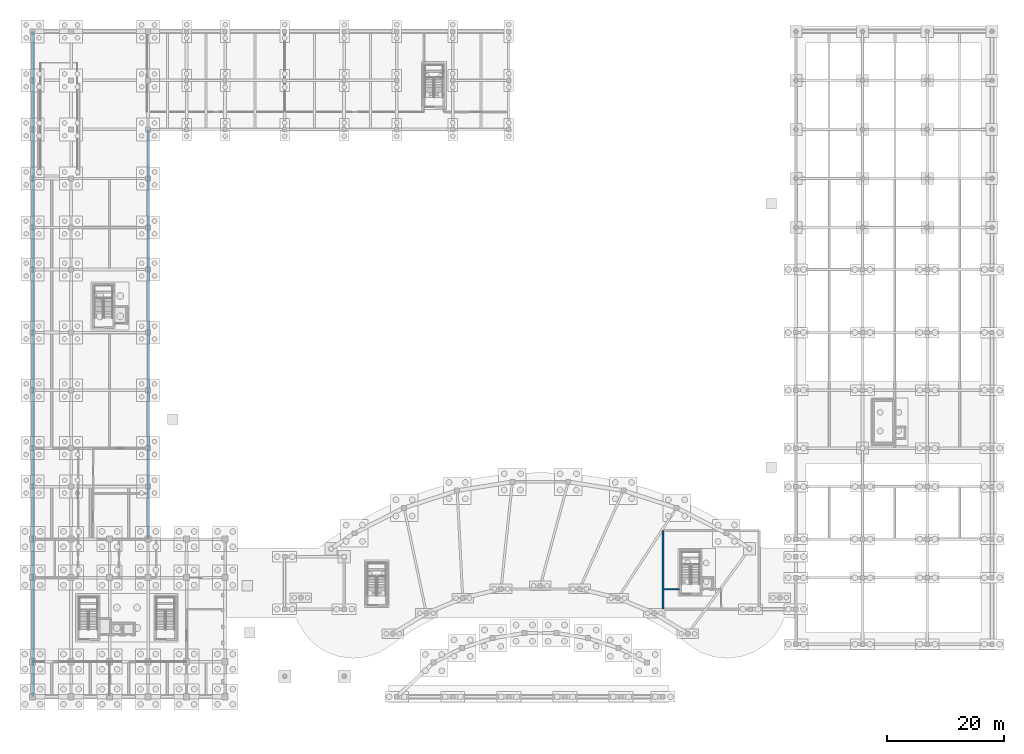
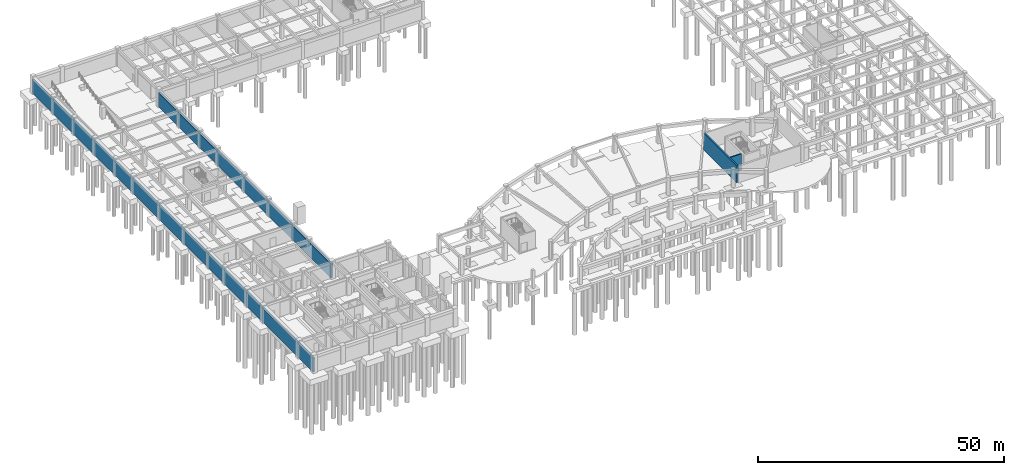
# One storey, part 17 of 28: 4 walls.
"""IFC4 building model written with IfcOpenShell, lengths in metres."""

import ifcopenshell
import ifcopenshell.guid

model = None  # the IFC model being written
_history = None  # IfcOwnerHistory: only IFC2X3 demands one
_inside = {}  # id of a spatial element -> (the spatial element, [elements in it])
_under = {}  # id of a project, library or spatial element -> (it, [spatial elements below it])
_declared = {}  # id of a project -> (the project, [libraries it declares])
_typed = {}  # id of a type object -> (the type object, [elements of that type])
_made_of = {}  # id of a material, layer set ... -> (it, [elements and type objects made of it])


def new_model(schema):
    """Start an empty IFC model of exactly this schema.

    Asked for "IFC4X3", IfcOpenShell would pick the latest addendum, in which some entities
    have other attributes; the version numbers below select the first issue.
    IFC2X3 requires an IfcOwnerHistory on every rooted entity: one is made here for all.
    """
    global model, _history
    if schema == "IFC4X3":
        model = ifcopenshell.file(schema_version=(4, 3, 0, 0))
    else:
        model = ifcopenshell.file(schema=schema)
    _inside.clear()
    _under.clear()
    _declared.clear()
    _typed.clear()
    _made_of.clear()
    _history = None
    if model.schema == "IFC2X3":
        org = make("IfcOrganization", Name="unknown")
        user = make(
            "IfcPersonAndOrganization",
            ThePerson=make("IfcPerson", FamilyName="unknown"),
            TheOrganization=org,
        )
        app = make(
            "IfcApplication",
            ApplicationDeveloper=org,
            Version="unknown",
            ApplicationFullName="unknown",
            ApplicationIdentifier="unknown",
        )
        _history = make(
            "IfcOwnerHistory",
            OwningUser=user,
            OwningApplication=app,
            ChangeAction="ADDED",
            CreationDate=0,
        )
    return model


def make(cls, **values):
    """One entity of the class cls with the attributes given. An attribute that is None is left unset."""
    return model.create_entity(
        cls, **{name: value for name, value in values.items() if value is not None}
    )


def rooted(cls, **values):
    """An entity with a GlobalId (a new one), such as an element, a storey or a relation."""
    return make(cls, GlobalId=ifcopenshell.guid.new(), OwnerHistory=_history, **values)


def si_unit(unit_type, name, prefix=None):
    """IfcSIUnit, for example si_unit("LENGTHUNIT", "METRE", prefix="MILLI")."""
    return make("IfcSIUnit", UnitType=unit_type, Prefix=prefix, Name=name)


def assignment(units):
    """IfcUnitAssignment: the units of a project."""
    return None if units is None else make("IfcUnitAssignment", Units=units)


def point(xyz):
    """IfcCartesianPoint."""
    return None if xyz is None else make("IfcCartesianPoint", Coordinates=xyz)


def direction(xyz):
    """IfcDirection."""
    return None if xyz is None else make("IfcDirection", DirectionRatios=xyz)


def frame(location, z_axis=None, x_axis=None):
    """IfcAxis2Placement3D, a coordinate frame: its origin and axes. An axis left out is left unset."""
    return make(
        "IfcAxis2Placement3D",
        Location=point(location),
        Axis=direction(z_axis),
        RefDirection=direction(x_axis),
    )


def frame_2d(location, x_axis=None):
    """IfcAxis2Placement2D, a coordinate frame in the plane: its origin and x axis."""
    return make(
        "IfcAxis2Placement2D", Location=point(location), RefDirection=direction(x_axis)
    )


def origin():
    """The frame at (0, 0, 0) with its axes left unset."""
    return frame((0.0, 0.0, 0.0))


def place(relative_to, where):
    """IfcLocalPlacement: puts the frame where relative to a parent placement (None: the world)."""
    return make(
        "IfcLocalPlacement", PlacementRelTo=relative_to, RelativePlacement=where
    )


def context(
    kind, dimensions, precision=None, world=None, true_north=None, identifier=None
):
    """IfcGeometricRepresentationContext, for example the 3D "Model" context."""
    return make(
        "IfcGeometricRepresentationContext",
        ContextIdentifier=identifier,
        ContextType=kind,
        CoordinateSpaceDimension=dimensions,
        Precision=precision,
        WorldCoordinateSystem=world,
        TrueNorth=true_north,
    )


def subcontext(parent, identifier, kind, view, scale=None):
    """IfcGeometricRepresentationSubContext, for example "Body" below "Model"."""
    return make(
        "IfcGeometricRepresentationSubContext",
        ContextIdentifier=identifier,
        ContextType=kind,
        ParentContext=parent,
        TargetScale=scale,
        TargetView=view,
    )


def project(units=None, contexts=None):
    """IfcProject with its units and contexts."""
    return rooted(
        "IfcProject",
        Name="project",
        RepresentationContexts=contexts,
        UnitsInContext=assignment(units),
    )


def spatial(cls, under=None, at=None, **own):
    """A site, building, storey or space (cls), placed at a placement, below another one or the project."""
    s = rooted(cls, ObjectPlacement=at, **own)
    if under is not None:
        _under.setdefault(under.id(), (under, []))[1].append(s)
    return s


def profile(cls, at=None, kind="AREA", **sizes):
    """A parametric profile (cls). Its sizes go by their IFC names, for example OverallWidth=200.0."""
    return make(cls, ProfileType=kind, Position=at, **sizes)


def rectangle(**sizes):
    """IfcRectangleProfileDef."""
    return profile("IfcRectangleProfileDef", **sizes)


def extrude(swept, where, along, depth):
    """IfcExtrudedAreaSolid: the profile swept, set in the frame where, extruded along a direction by depth."""
    return make(
        "IfcExtrudedAreaSolid",
        SweptArea=swept,
        Position=where,
        ExtrudedDirection=direction(along),
        Depth=depth,
    )


def shape(context_of_items, identifier, shape_type, items):
    """IfcShapeRepresentation: the items that make up one representation, for example the "Body"."""
    return make(
        "IfcShapeRepresentation",
        ContextOfItems=context_of_items,
        RepresentationIdentifier=identifier,
        RepresentationType=shape_type,
        Items=items,
    )


def material(Name=None, Category=None):
    """IfcMaterial."""
    return make("IfcMaterial", Name=Name, Category=Category)


def layer(
    of_material, thickness, ventilated=None, Name=None, Category=None, Priority=None
):
    """IfcMaterialLayer: one layer of a wall or slab, of a material (None: an air gap)."""
    return make(
        "IfcMaterialLayer",
        Material=of_material,
        LayerThickness=thickness,
        IsVentilated=ventilated,
        Name=Name,
        Category=Category,
        Priority=Priority,
    )


def layer_set(layers, Name=None):
    """IfcMaterialLayerSet."""
    return make("IfcMaterialLayerSet", MaterialLayers=layers, LayerSetName=Name)


def made_of(thing, what):
    """Note that an element or type object is made of a material, layer set ...; save() writes the relation."""
    if what is not None:
        _made_of.setdefault(what.id(), (what, []))[1].append(thing)
    return thing


def type_object(cls, material=None, **own):
    """A type object (cls), such as IfcWallType, which elements share."""
    return made_of(rooted(cls, **own), material)


def element(
    cls,
    number,
    at=None,
    inside=None,
    cuts=None,
    type_object=None,
    material=None,
    context=None,
    identifier="Body",
    shape_type=None,
    held_by="IfcProductDefinitionShape",
    body=None,
    shapes=None,
    **own,
):
    """One element of the class cls, such as IfcWall. Its Tag is "e" and its number.

    at: its placement. inside: the storey or other place that contains it. cuts: it is an
    opening in that element (IfcRelVoidsElement). A single representation is given by context,
    identifier, shape_type and body (its items); several are given by shapes. held_by: the class
    of the entity that holds the representations. save() writes the other relations.
    """
    e = rooted(cls, Tag="e%d" % number, ObjectPlacement=at, **own)
    if body is not None:
        shapes = [shape(context, identifier, shape_type, body)]
    if shapes is not None:
        e.Representation = make(held_by, Representations=shapes)
    if inside is not None:
        _inside.setdefault(inside.id(), (inside, []))[1].append(e)
    if cuts is not None:
        rooted(
            "IfcRelVoidsElement", RelatingBuildingElement=cuts, RelatedOpeningElement=e
        )
    if type_object is not None:
        _typed.setdefault(type_object.id(), (type_object, []))[1].append(e)
    return made_of(e, material)


def aggregate(whole, parts):
    """IfcRelAggregates: a whole, such as a stair, and the parts it consists of."""
    return rooted("IfcRelAggregates", RelatingObject=whole, RelatedObjects=parts)


def save(model, path):
    """Write the relations noted so far, then the file.

    IfcRelAggregates (storeys below a building ...), IfcRelContainedInSpatialStructure (elements
    in a storey), IfcRelDefinesByType, IfcRelAssociatesMaterial and IfcRelDeclares: one each for
    every whole, place, type object, material and project.
    """
    for whole, parts in _under.values():
        aggregate(whole, parts)
    for where, things in _inside.values():
        rooted(
            "IfcRelContainedInSpatialStructure",
            RelatedElements=things,
            RelatingStructure=where,
        )
    for kind, things in _typed.values():
        rooted("IfcRelDefinesByType", RelatedObjects=things, RelatingType=kind)
    for what, things in _made_of.values():
        rooted("IfcRelAssociatesMaterial", RelatedObjects=things, RelatingMaterial=what)
    for by, libraries in _declared.values():
        rooted("IfcRelDeclares", RelatingContext=by, RelatedDefinitions=libraries)
    model.write(path)


model = new_model("IFC4")

# Units and contexts
model_context = context("Model", 3, precision=1e-05, world=origin(), true_north=direction((0.0, 1.0)))
body_context = subcontext(model_context, "Body", "Model", "MODEL_VIEW")
ifc_project = project(units=[si_unit("LENGTHUNIT", "METRE"), si_unit("AREAUNIT", "SQUARE_METRE"), si_unit("VOLUMEUNIT", "CUBIC_METRE"), si_unit("PLANEANGLEUNIT", "RADIAN"), si_unit("MASSUNIT", "GRAM", prefix="KILO")], contexts=[model_context])

# Site, building, storey
site_placement = place(None, origin())
site = spatial("IfcSite", under=ifc_project, at=site_placement, CompositionType="ELEMENT")
building_placement = place(site_placement, origin())
building = spatial("IfcBuilding", under=site, at=building_placement, Name="Miralva Faculty of Natural Sciences", CompositionType="ELEMENT")
storey_placement = place(building_placement, frame((0.0, 0.0, -4.5)))
storey = spatial("IfcBuildingStorey", under=building, at=storey_placement, Name="B1", CompositionType="ELEMENT", Elevation=-4.5)

# Walls
ifc_material_1 = material(Name="Concrete C35/45", Category="concrete")
ifc_layer_1 = layer(ifc_material_1, 0.219970703125, Name="WL-PT01")
ifc_layer_set_1 = layer_set([ifc_layer_1], Name="Concrete C35/45")
wall_type_1 = type_object("IfcWallType", Name="WL-PT01", PredefinedType="PARTITIONING", material=ifc_layer_set_1)
wall_1_placement = place(storey_placement, frame((111.22998046875, 21.39990234375, 0.0), z_axis=(0.0, 0.0, 1.0), x_axis=(1.0, 0.0, 0.0)))
element("IfcWall", 1, at=wall_1_placement, inside=storey, type_object=wall_type_1, Name="Interior partition PT-01 B1-35", PredefinedType="PARTITIONING", context=body_context, shape_type="SweptSolid", body=[
    extrude(rectangle(XDim=2.56494140625, YDim=0.219970703125, at=frame_2d((1.282470703125, 0.0))), origin(), (0.0, 0.0, 1.0), 4.179931640625),
])
ifc_material_2 = material(Name="Concrete C40/50", Category="concrete")
ifc_layer_2 = layer(ifc_material_2, 0.419921875, Name="WL-RW01")
ifc_layer_set_2 = layer_set([ifc_layer_2], Name="Concrete C40/50")
wall_type_2 = type_object("IfcWallType", Name="WL-RW01", PredefinedType="STANDARD", material=ifc_layer_set_2)
wall_2_placement = place(storey_placement, frame((22.800048828125, 29.9951171875, 0.0), z_axis=(0.0, 0.0, 1.0), x_axis=(0.0, 1.0, 0.0)))
element("IfcWall", 2, at=wall_2_placement, inside=storey, type_object=wall_type_2, Name="Exterior wall B1-4", PredefinedType="STANDARD", context=body_context, shape_type="SweptSolid", body=[
    extrude(rectangle(XDim=70.2099609375, YDim=0.419921875, at=frame_2d((35.10498046875, 0.0))), origin(), (0.0, 0.0, 1.0), 3.449951171875),
])
wall_3_placement = place(storey_placement, frame((3.0, 2.9951171875, 0.0), z_axis=(0.0, 0.0, 1.0), x_axis=(0.0, 1.0, 0.0)))
element("IfcWall", 3, at=wall_3_placement, inside=storey, type_object=wall_type_2, Name="Exterior wall B1-8", PredefinedType="STANDARD", context=body_context, shape_type="SweptSolid", body=[
    extrude(rectangle(XDim=114.009765625, YDim=0.419921875, at=frame_2d((57.0048828125, 0.0))), origin(), (0.0, 0.0, 1.0), 3.449951171875),
])
ifc_layer_3 = layer(ifc_material_2, 0.3798828125, Name="WL-RW02")
ifc_layer_set_3 = layer_set([ifc_layer_3], Name="Concrete C40/50")
wall_type_3 = type_object("IfcWallType", Name="WL-RW02", PredefinedType="USERDEFINED", material=ifc_layer_set_3)
wall_4_placement = place(storey_placement, frame((111.0, 18.0, 0.0), z_axis=(0.0, 0.0, 1.0), x_axis=(0.0, 1.0, 0.0)))
element("IfcWall", 4, at=wall_4_placement, inside=storey, type_object=wall_type_3, Name="Exterior wall B1-12", ObjectType="RETAINING WALL", PredefinedType="USERDEFINED", context=body_context, shape_type="SweptSolid", body=[
    extrude(rectangle(XDim=13.5, YDim=0.3798828125, at=frame_2d((6.75, 0.0))), origin(), (0.0, 0.0, 1.0), 4.14990234375),
])

save(model, "model.ifc")
